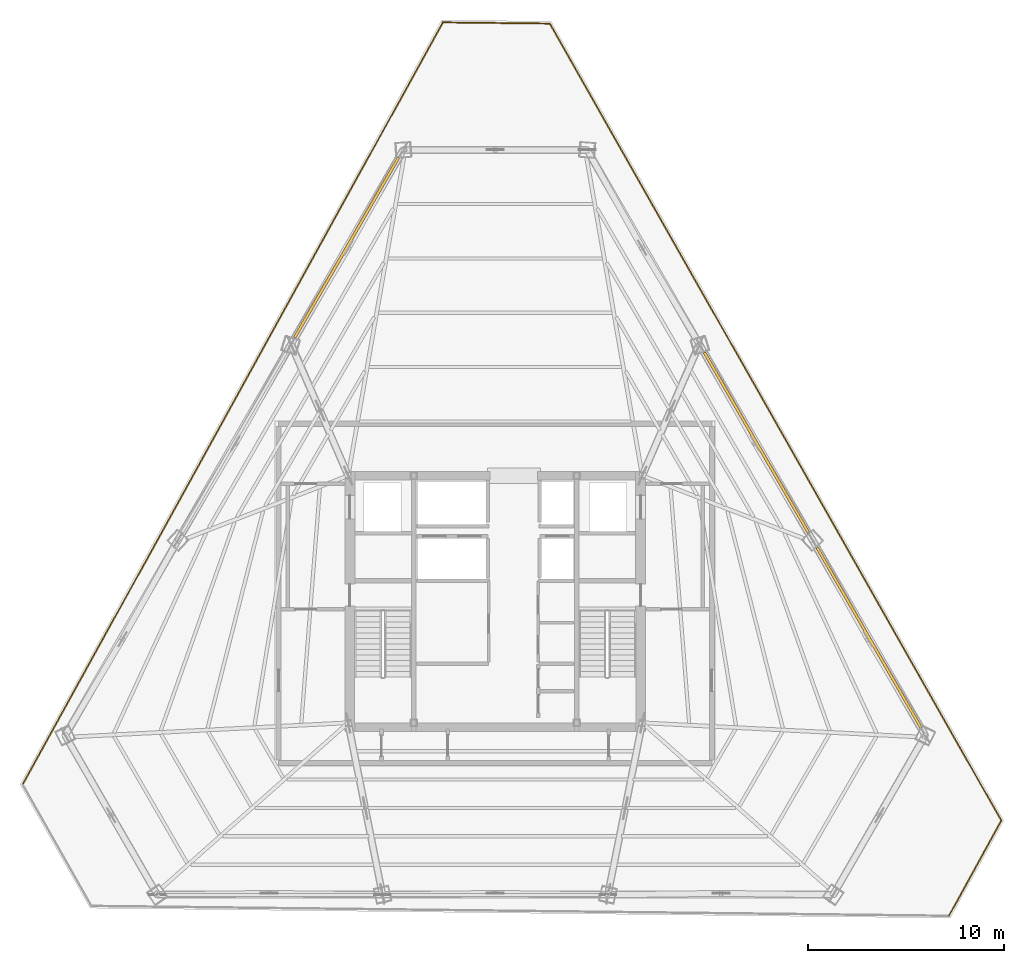
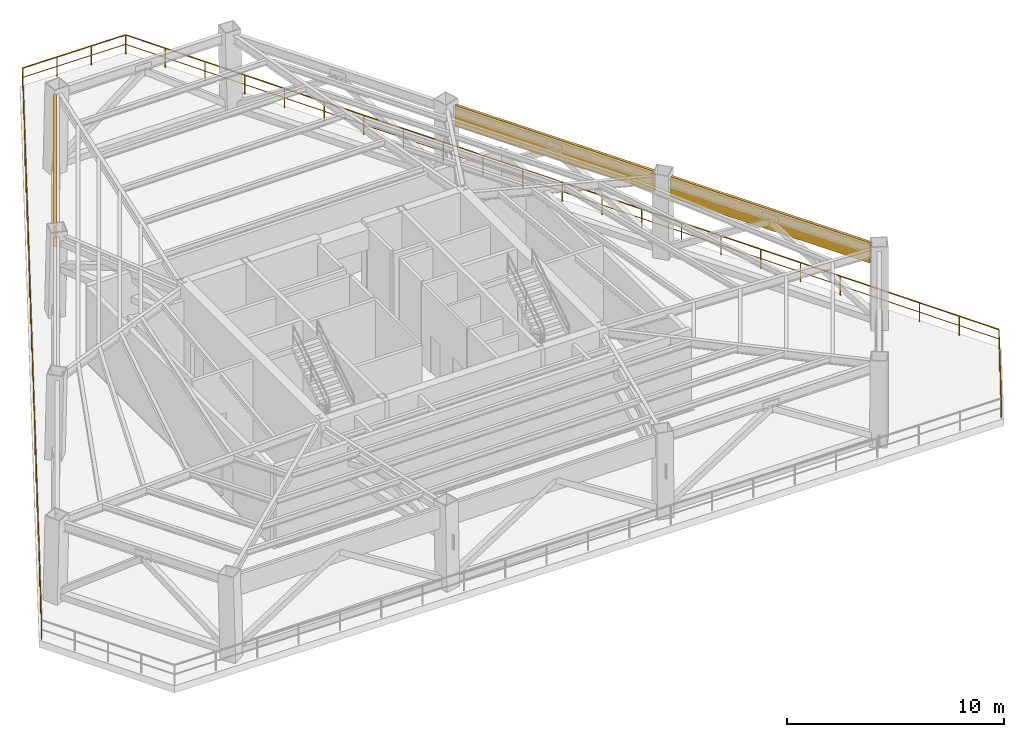
# One storey, part 10 of 10: 4 railings, 3 shading devices.
"""IFC4 building model written with IfcOpenShell, lengths in metres."""

from ifc_helpers import new_model, si_unit, direction, frame, origin, origin_2d, place, context, subcontext, project, spatial, rectangle, extrude, source, transform, mapped, material, layer, layer_set, type_object, type_shapes, element, save


model = new_model("IFC4")

# Units and contexts
model_context = context("Model", 3, precision=1e-05, world=origin(), true_north=direction((0.0, 1.0)))
body_context = subcontext(model_context, "Body", "Model", "MODEL_VIEW")
ifc_project = project(units=[si_unit("LENGTHUNIT", "METRE"), si_unit("AREAUNIT", "SQUARE_METRE"), si_unit("VOLUMEUNIT", "CUBIC_METRE"), si_unit("PLANEANGLEUNIT", "RADIAN"), si_unit("MASSUNIT", "GRAM", prefix="KILO")], contexts=[model_context])

# Site, building, storey
site_placement = place(None, origin())
site = spatial("IfcSite", under=ifc_project, at=site_placement, CompositionType="ELEMENT")
building_placement = place(site_placement, origin())
building = spatial("IfcBuilding", under=site, at=building_placement, Name="Caelisora Broadcast Tower", CompositionType="ELEMENT")
storey_placement = place(building_placement, frame((0.0, 0.0, 220.550048828125)))
storey = spatial("IfcBuildingStorey", under=building, at=storey_placement, Name="L58", CompositionType="ELEMENT", Elevation=220.550048828125)

# Railings
ifc_material_1 = material(Name="Laminated Glass and Stainless Steel Terrace Balustrade", Category="steel")
ifc_layer_1 = layer(ifc_material_1, 0.048095703125, Name="Laminated Glass and Stainless Steel Terrace Balustrade")
ifc_layer_set_1 = layer_set([ifc_layer_1], Name="Laminated Glass and Stainless Steel Terrace Balustrade")
railing_type = type_object("IfcRailingType", Name="BL-1", PredefinedType="BALUSTRADE", material=ifc_layer_set_1)
railing_1_placement = place(storey_placement, frame((40.781005859375, 53.054931640625, 0.0)))
element("IfcRailing", 1, at=railing_1_placement, inside=storey, type_object=railing_type, Name="L58 balustrade BL-1 #01", PredefinedType="BALUSTRADE", context=body_context, shape_type="SweptSolid", body=[
    extrude(rectangle(XDim=0.048095703125, YDim=0.048095703125, at=origin_2d()), frame((0.0, 0.0, 1.076171875), z_axis=(0.492883609106, -0.870095252185, 0.0), x_axis=(0.870095252185, 0.492883609106, 0.0)), (0.0, 0.0, 1.0), 46.716552734375),
    extrude(rectangle(XDim=0.03125, YDim=0.03125, at=origin_2d()), frame((0.0, 0.0, 0.550048828125), z_axis=(0.492883609106, -0.870095252185, 0.0), x_axis=(0.870095252185, 0.492883609106, 0.0)), (0.0, 0.0, 1.0), 46.716552734375),
    extrude(rectangle(XDim=0.0419921875, YDim=0.0419921875, at=origin_2d()), origin(), (0.0, 0.0, 1.0), 1.052001953125),
    extrude(rectangle(XDim=0.0419921875, YDim=0.0419921875, at=origin_2d()), frame((1.046630859375, -1.84765625, 0.0)), (0.0, 0.0, 1.0), 1.052001953125),
    extrude(rectangle(XDim=0.0419921875, YDim=0.0419921875, at=origin_2d()), frame((2.09326171875, -3.6953125, 0.0)), (0.0, 0.0, 1.0), 1.052001953125),
    extrude(rectangle(XDim=0.0419921875, YDim=0.0419921875, at=origin_2d()), frame((3.139892578125, -5.54296875, 0.0)), (0.0, 0.0, 1.0), 1.052001953125),
    extrude(rectangle(XDim=0.0419921875, YDim=0.0419921875, at=origin_2d()), frame((4.1865234375, -7.390625, 0.0)), (0.0, 0.0, 1.0), 1.052001953125),
    extrude(rectangle(XDim=0.0419921875, YDim=0.0419921875, at=origin_2d()), frame((5.233154296875, -9.23828125, 0.0)), (0.0, 0.0, 1.0), 1.052001953125),
    extrude(rectangle(XDim=0.0419921875, YDim=0.0419921875, at=origin_2d()), frame((6.27978515625, -11.085693359375, 0.0)), (0.0, 0.0, 1.0), 1.052001953125),
    extrude(rectangle(XDim=0.0419921875, YDim=0.0419921875, at=origin_2d()), frame((7.326416015625, -12.933349609375, 0.0)), (0.0, 0.0, 1.0), 1.052001953125),
    extrude(rectangle(XDim=0.0419921875, YDim=0.0419921875, at=origin_2d()), frame((8.373046875, -14.781005859375, 0.0)), (0.0, 0.0, 1.0), 1.052001953125),
    extrude(rectangle(XDim=0.0419921875, YDim=0.0419921875, at=origin_2d()), frame((9.419677734375, -16.628662109375, 0.0)), (0.0, 0.0, 1.0), 1.052001953125),
    extrude(rectangle(XDim=0.0419921875, YDim=0.0419921875, at=origin_2d()), frame((10.46630859375, -18.476318359375, 0.0)), (0.0, 0.0, 1.0), 1.052001953125),
    extrude(rectangle(XDim=0.0419921875, YDim=0.0419921875, at=origin_2d()), frame((11.512939453125, -20.323974609375, 0.0)), (0.0, 0.0, 1.0), 1.052001953125),
    extrude(rectangle(XDim=0.0419921875, YDim=0.0419921875, at=origin_2d()), frame((12.5595703125, -22.171630859375, 0.0)), (0.0, 0.0, 1.0), 1.052001953125),
    extrude(rectangle(XDim=0.0419921875, YDim=0.0419921875, at=origin_2d()), frame((13.606201171875, -24.019287109375, 0.0)), (0.0, 0.0, 1.0), 1.052001953125),
    extrude(rectangle(XDim=0.0419921875, YDim=0.0419921875, at=origin_2d()), frame((14.65283203125, -25.866943359375, 0.0)), (0.0, 0.0, 1.0), 1.052001953125),
    extrude(rectangle(XDim=0.0419921875, YDim=0.0419921875, at=origin_2d()), frame((15.699462890625, -27.714599609375, 0.0)), (0.0, 0.0, 1.0), 1.052001953125),
    extrude(rectangle(XDim=0.0419921875, YDim=0.0419921875, at=origin_2d()), frame((16.74609375, -29.562255859375, 0.0)), (0.0, 0.0, 1.0), 1.052001953125),
    extrude(rectangle(XDim=0.0419921875, YDim=0.0419921875, at=origin_2d()), frame((17.792724609375, -31.40966796875, 0.0)), (0.0, 0.0, 1.0), 1.052001953125),
    extrude(rectangle(XDim=0.0419921875, YDim=0.0419921875, at=origin_2d()), frame((18.83935546875, -33.25732421875, 0.0)), (0.0, 0.0, 1.0), 1.052001953125),
    extrude(rectangle(XDim=0.0419921875, YDim=0.0419921875, at=origin_2d()), frame((19.885986328125, -35.10498046875, 0.0)), (0.0, 0.0, 1.0), 1.052001953125),
    extrude(rectangle(XDim=0.0419921875, YDim=0.0419921875, at=origin_2d()), frame((20.9326171875, -36.95263671875, 0.0)), (0.0, 0.0, 1.0), 1.052001953125),
    extrude(rectangle(XDim=0.0419921875, YDim=0.0419921875, at=origin_2d()), frame((21.979248046875, -38.80029296875, 0.0)), (0.0, 0.0, 1.0), 1.052001953125),
    extrude(rectangle(XDim=0.0419921875, YDim=0.0419921875, at=origin_2d()), frame((23.02587890625, -40.64794921875, 0.0)), (0.0, 0.0, 1.0), 1.052001953125),
])
railing_2_placement = place(storey_placement, frame((63.806884765625, 12.406982421875, 0.0)))
element("IfcRailing", 2, at=railing_2_placement, inside=storey, type_object=railing_type, Name="L58 balustrade BL-1 #02", PredefinedType="BALUSTRADE", context=body_context, shape_type="SweptSolid", body=[
    extrude(rectangle(XDim=0.048095703125, YDim=0.048095703125, at=origin_2d()), frame((0.0, 0.0, 1.076171875), z_axis=(-0.482834732007, -0.875711494482, 0.0), x_axis=(0.875711494482, -0.482834732007, 0.0)), (0.0, 0.0, 1.0), 5.53369140625),
    extrude(rectangle(XDim=0.03125, YDim=0.03125, at=origin_2d()), frame((0.0, 0.0, 0.550048828125), z_axis=(-0.482834732007, -0.875711494482, 0.0), x_axis=(0.875711494482, -0.482834732007, 0.0)), (0.0, 0.0, 1.0), 5.53369140625),
    extrude(rectangle(XDim=0.0419921875, YDim=0.0419921875, at=origin_2d()), origin(), (0.0, 0.0, 1.0), 1.052001953125),
    extrude(rectangle(XDim=0.0419921875, YDim=0.0419921875, at=origin_2d()), frame((-0.890625, -1.615234375, 0.0)), (0.0, 0.0, 1.0), 1.052001953125),
    extrude(rectangle(XDim=0.0419921875, YDim=0.0419921875, at=origin_2d()), frame((-1.78125, -3.230712890625, 0.0)), (0.0, 0.0, 1.0), 1.052001953125),
    extrude(rectangle(XDim=0.0419921875, YDim=0.0419921875, at=origin_2d()), frame((-2.671875, -4.845947265625, 0.0)), (0.0, 0.0, 1.0), 1.052001953125),
])
railing_3_placement = place(storey_placement, frame((13.903076171875, 14.2509765625, 0.0)))
element("IfcRailing", 3, at=railing_3_placement, inside=storey, type_object=railing_type, Name="L58 balustrade BL-1 #05", PredefinedType="BALUSTRADE", context=body_context, shape_type="SweptSolid", body=[
    extrude(rectangle(XDim=0.048095703125, YDim=0.048095703125, at=origin_2d()), frame((0.0, 0.0, 1.076171875), z_axis=(0.482812798929, 0.875723587207, 0.0), x_axis=(-0.875723587207, 0.482812798929, 0.0)), (0.0, 0.0, 1.0), 44.381591796875),
    extrude(rectangle(XDim=0.03125, YDim=0.03125, at=origin_2d()), frame((0.0, 0.0, 0.550048828125), z_axis=(0.482812798929, 0.875723587207, 0.0), x_axis=(-0.875723587207, 0.482812798929, 0.0)), (0.0, 0.0, 1.0), 44.381591796875),
    extrude(rectangle(XDim=0.0419921875, YDim=0.0419921875, at=origin_2d()), origin(), (0.0, 0.0, 1.0), 1.052001953125),
    extrude(rectangle(XDim=0.0419921875, YDim=0.0419921875, at=origin_2d()), frame((1.020263671875, 1.850830078125, 0.0)), (0.0, 0.0, 1.0), 1.052001953125),
    extrude(rectangle(XDim=0.0419921875, YDim=0.0419921875, at=origin_2d()), frame((2.040771484375, 3.701416015625, 0.0)), (0.0, 0.0, 1.0), 1.052001953125),
    extrude(rectangle(XDim=0.0419921875, YDim=0.0419921875, at=origin_2d()), frame((3.06103515625, 5.55224609375, 0.0)), (0.0, 0.0, 1.0), 1.052001953125),
    extrude(rectangle(XDim=0.0419921875, YDim=0.0419921875, at=origin_2d()), frame((4.08154296875, 7.403076171875, 0.0)), (0.0, 0.0, 1.0), 1.052001953125),
    extrude(rectangle(XDim=0.0419921875, YDim=0.0419921875, at=origin_2d()), frame((5.101806640625, 9.25390625, 0.0)), (0.0, 0.0, 1.0), 1.052001953125),
    extrude(rectangle(XDim=0.0419921875, YDim=0.0419921875, at=origin_2d()), frame((6.122314453125, 11.1044921875, 0.0)), (0.0, 0.0, 1.0), 1.052001953125),
    extrude(rectangle(XDim=0.0419921875, YDim=0.0419921875, at=origin_2d()), frame((7.142578125, 12.955322265625, 0.0)), (0.0, 0.0, 1.0), 1.052001953125),
    extrude(rectangle(XDim=0.0419921875, YDim=0.0419921875, at=origin_2d()), frame((8.1630859375, 14.80615234375, 0.0)), (0.0, 0.0, 1.0), 1.052001953125),
    extrude(rectangle(XDim=0.0419921875, YDim=0.0419921875, at=origin_2d()), frame((9.183349609375, 16.65673828125, 0.0)), (0.0, 0.0, 1.0), 1.052001953125),
    extrude(rectangle(XDim=0.0419921875, YDim=0.0419921875, at=origin_2d()), frame((10.203857421875, 18.507568359375, 0.0)), (0.0, 0.0, 1.0), 1.052001953125),
    extrude(rectangle(XDim=0.0419921875, YDim=0.0419921875, at=origin_2d()), frame((11.22412109375, 20.3583984375, 0.0)), (0.0, 0.0, 1.0), 1.052001953125),
    extrude(rectangle(XDim=0.0419921875, YDim=0.0419921875, at=origin_2d()), frame((12.24462890625, 22.209228515625, 0.0)), (0.0, 0.0, 1.0), 1.052001953125),
    extrude(rectangle(XDim=0.0419921875, YDim=0.0419921875, at=origin_2d()), frame((13.264892578125, 24.059814453125, 0.0)), (0.0, 0.0, 1.0), 1.052001953125),
    extrude(rectangle(XDim=0.0419921875, YDim=0.0419921875, at=origin_2d()), frame((14.285400390625, 25.91064453125, 0.0)), (0.0, 0.0, 1.0), 1.052001953125),
    extrude(rectangle(XDim=0.0419921875, YDim=0.0419921875, at=origin_2d()), frame((15.3056640625, 27.761474609375, 0.0)), (0.0, 0.0, 1.0), 1.052001953125),
    extrude(rectangle(XDim=0.0419921875, YDim=0.0419921875, at=origin_2d()), frame((16.326171875, 29.612060546875, 0.0)), (0.0, 0.0, 1.0), 1.052001953125),
    extrude(rectangle(XDim=0.0419921875, YDim=0.0419921875, at=origin_2d()), frame((17.346435546875, 31.462890625, 0.0)), (0.0, 0.0, 1.0), 1.052001953125),
    extrude(rectangle(XDim=0.0419921875, YDim=0.0419921875, at=origin_2d()), frame((18.366943359375, 33.313720703125, 0.0)), (0.0, 0.0, 1.0), 1.052001953125),
    extrude(rectangle(XDim=0.0419921875, YDim=0.0419921875, at=origin_2d()), frame((19.38720703125, 35.16455078125, 0.0)), (0.0, 0.0, 1.0), 1.052001953125),
    extrude(rectangle(XDim=0.0419921875, YDim=0.0419921875, at=origin_2d()), frame((20.40771484375, 37.01513671875, 0.0)), (0.0, 0.0, 1.0), 1.052001953125),
    extrude(rectangle(XDim=0.0419921875, YDim=0.0419921875, at=origin_2d()), frame((21.427978515625, 38.865966796875, 0.0)), (0.0, 0.0, 1.0), 1.052001953125),
])
railing_4_placement = place(storey_placement, frame((35.3310546875, 53.116943359375, 0.0)))
element("IfcRailing", 4, at=railing_4_placement, inside=storey, type_object=railing_type, Name="L58 balustrade BL-1 #06", PredefinedType="BALUSTRADE", context=body_context, shape_type="SweptSolid", body=[
    extrude(rectangle(XDim=0.048095703125, YDim=0.048095703125, at=origin_2d()), frame((0.0, 0.0, 1.076171875), z_axis=(0.999935272304, -0.011377662463, 0.0), x_axis=(0.011377662463, 0.999935272304, 0.0)), (0.0, 0.0, 1.0), 5.4501953125),
    extrude(rectangle(XDim=0.03125, YDim=0.03125, at=origin_2d()), frame((0.0, 0.0, 0.550048828125), z_axis=(0.999935272304, -0.011377662463, 0.0), x_axis=(0.011377662463, 0.999935272304, 0.0)), (0.0, 0.0, 1.0), 5.4501953125),
    extrude(rectangle(XDim=0.0419921875, YDim=0.0419921875, at=origin_2d()), origin(), (0.0, 0.0, 1.0), 1.052001953125),
    extrude(rectangle(XDim=0.0419921875, YDim=0.0419921875, at=origin_2d()), frame((1.816650390625, -0.020751953125, 0.0)), (0.0, 0.0, 1.0), 1.052001953125),
    extrude(rectangle(XDim=0.0419921875, YDim=0.0419921875, at=origin_2d()), frame((3.63330078125, -0.041259765625, 0.0)), (0.0, 0.0, 1.0), 1.052001953125),
    extrude(rectangle(XDim=0.0419921875, YDim=0.0419921875, at=origin_2d()), frame((5.449951171875, -0.06201171875, 0.0)), (0.0, 0.0, 1.0), 1.052001953125),
])

# Shading devices
ifc_material_2 = material(Name="Anodised Terracotta Aluminium Acoustic Louvre", Category="aluminium")
ifc_layer_2 = layer(ifc_material_2, 0.139892578125, Name="Anodised Terracotta Aluminium Acoustic Louvre")
ifc_layer_set_2 = layer_set([ifc_layer_2], Name="Anodised Terracotta Aluminium Acoustic Louvre")
shading_device_type = type_object("IfcShadingDeviceType", Name="LV-1", PredefinedType="JALOUSIE", material=ifc_layer_set_2)
shared_shape = source(origin(), body_context, "Body", "SweptSolid", [
    extrude(rectangle(XDim=10.607421875, YDim=0.139892578125, at=origin_2d()), origin(), (0.0, 0.0, 1.0), 1.14990234375),
])
type_shapes(shading_device_type, [shared_shape])
for number, where, z_axis, x_axis, name in (
    (5, (30.42578125, 41.637451171875, 3.409912109375), (0.0, 0.0, 1.0), (-0.5, -0.866025403784, 0.0), "L58 refuge wind-baffle louvre #1"),
    (6, (57.0615234375, 21.74072265625, 3.409912109375), (0.0, 0.0, 1.0), (-0.5, 0.866025403784, 0.0), "L58 refuge wind-baffle louvre #9"),
    (7, (51.31787109375, 31.689208984375, 3.409912109375), (0.0, 0.0, 1.0), (-0.5, 0.866025403784, 0.0), "L58 refuge wind-baffle louvre #10"),
):
    element("IfcShadingDevice", number, at=place(storey_placement, frame(where, z_axis=z_axis, x_axis=x_axis)), inside=storey, type_object=shading_device_type, Name=name, PredefinedType="JALOUSIE", context=body_context, shape_type="MappedRepresentation", body=[
        mapped(shared_shape, transform((0.0, 0.0, 0.0), scale=1.0)),
    ])

save(model, "model.ifc")
